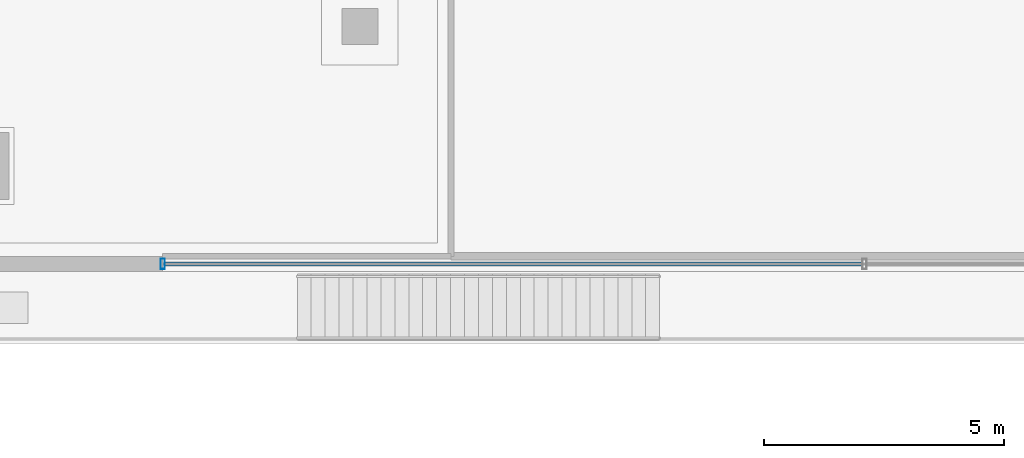
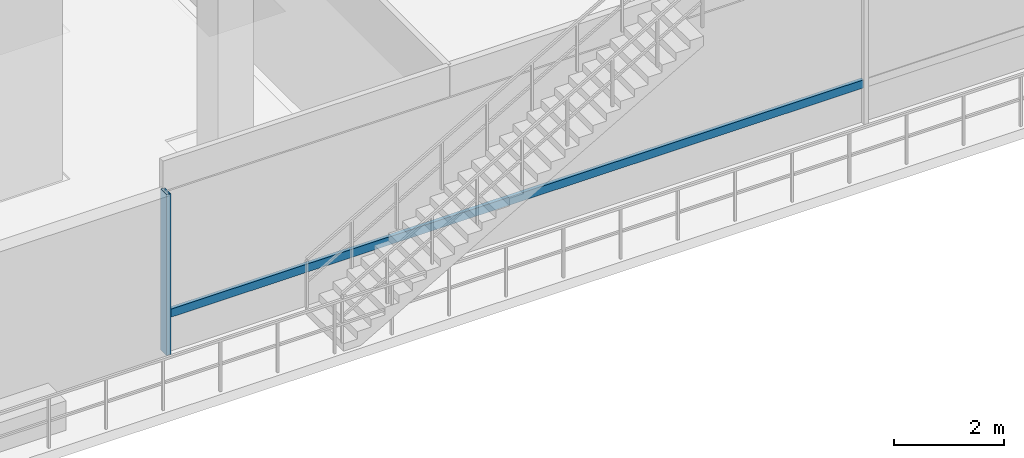
# One storey, part 2 of 25: 2 members, 1 element without a shape of its own.
"""IFC4 building model written with IfcOpenShell, lengths in metres."""

import ifcopenshell
import ifcopenshell.guid

model = None  # the IFC model being written
_history = None  # IfcOwnerHistory: only IFC2X3 demands one
_inside = {}  # id of a spatial element -> (the spatial element, [elements in it])
_under = {}  # id of a project, library or spatial element -> (it, [spatial elements below it])
_declared = {}  # id of a project -> (the project, [libraries it declares])
_typed = {}  # id of a type object -> (the type object, [elements of that type])
_made_of = {}  # id of a material, layer set ... -> (it, [elements and type objects made of it])


def new_model(schema):
    """Start an empty IFC model of exactly this schema.

    Asked for "IFC4X3", IfcOpenShell would pick the latest addendum, in which some entities
    have other attributes; the version numbers below select the first issue.
    IFC2X3 requires an IfcOwnerHistory on every rooted entity: one is made here for all.
    """
    global model, _history
    if schema == "IFC4X3":
        model = ifcopenshell.file(schema_version=(4, 3, 0, 0))
    else:
        model = ifcopenshell.file(schema=schema)
    _inside.clear()
    _under.clear()
    _declared.clear()
    _typed.clear()
    _made_of.clear()
    _history = None
    if model.schema == "IFC2X3":
        org = make("IfcOrganization", Name="unknown")
        user = make(
            "IfcPersonAndOrganization",
            ThePerson=make("IfcPerson", FamilyName="unknown"),
            TheOrganization=org,
        )
        app = make(
            "IfcApplication",
            ApplicationDeveloper=org,
            Version="unknown",
            ApplicationFullName="unknown",
            ApplicationIdentifier="unknown",
        )
        _history = make(
            "IfcOwnerHistory",
            OwningUser=user,
            OwningApplication=app,
            ChangeAction="ADDED",
            CreationDate=0,
        )
    return model


def make(cls, **values):
    """One entity of the class cls with the attributes given. An attribute that is None is left unset."""
    return model.create_entity(
        cls, **{name: value for name, value in values.items() if value is not None}
    )


def rooted(cls, **values):
    """An entity with a GlobalId (a new one), such as an element, a storey or a relation."""
    return make(cls, GlobalId=ifcopenshell.guid.new(), OwnerHistory=_history, **values)


def si_unit(unit_type, name, prefix=None):
    """IfcSIUnit, for example si_unit("LENGTHUNIT", "METRE", prefix="MILLI")."""
    return make("IfcSIUnit", UnitType=unit_type, Prefix=prefix, Name=name)


def assignment(units):
    """IfcUnitAssignment: the units of a project."""
    return None if units is None else make("IfcUnitAssignment", Units=units)


def point(xyz):
    """IfcCartesianPoint."""
    return None if xyz is None else make("IfcCartesianPoint", Coordinates=xyz)


def direction(xyz):
    """IfcDirection."""
    return None if xyz is None else make("IfcDirection", DirectionRatios=xyz)


def frame(location, z_axis=None, x_axis=None):
    """IfcAxis2Placement3D, a coordinate frame: its origin and axes. An axis left out is left unset."""
    return make(
        "IfcAxis2Placement3D",
        Location=point(location),
        Axis=direction(z_axis),
        RefDirection=direction(x_axis),
    )


def frame_2d(location, x_axis=None):
    """IfcAxis2Placement2D, a coordinate frame in the plane: its origin and x axis."""
    return make(
        "IfcAxis2Placement2D", Location=point(location), RefDirection=direction(x_axis)
    )


def origin():
    """The frame at (0, 0, 0) with its axes left unset."""
    return frame((0.0, 0.0, 0.0))


def origin_2d():
    """The frame at (0, 0) in the plane with its x axis left unset."""
    return frame_2d((0.0, 0.0))


def place(relative_to, where):
    """IfcLocalPlacement: puts the frame where relative to a parent placement (None: the world)."""
    return make(
        "IfcLocalPlacement", PlacementRelTo=relative_to, RelativePlacement=where
    )


def context(
    kind, dimensions, precision=None, world=None, true_north=None, identifier=None
):
    """IfcGeometricRepresentationContext, for example the 3D "Model" context."""
    return make(
        "IfcGeometricRepresentationContext",
        ContextIdentifier=identifier,
        ContextType=kind,
        CoordinateSpaceDimension=dimensions,
        Precision=precision,
        WorldCoordinateSystem=world,
        TrueNorth=true_north,
    )


def subcontext(parent, identifier, kind, view, scale=None):
    """IfcGeometricRepresentationSubContext, for example "Body" below "Model"."""
    return make(
        "IfcGeometricRepresentationSubContext",
        ContextIdentifier=identifier,
        ContextType=kind,
        ParentContext=parent,
        TargetScale=scale,
        TargetView=view,
    )


def project(units=None, contexts=None):
    """IfcProject with its units and contexts."""
    return rooted(
        "IfcProject",
        Name="project",
        RepresentationContexts=contexts,
        UnitsInContext=assignment(units),
    )


def spatial(cls, under=None, at=None, **own):
    """A site, building, storey or space (cls), placed at a placement, below another one or the project."""
    s = rooted(cls, ObjectPlacement=at, **own)
    if under is not None:
        _under.setdefault(under.id(), (under, []))[1].append(s)
    return s


def profile(cls, at=None, kind="AREA", **sizes):
    """A parametric profile (cls). Its sizes go by their IFC names, for example OverallWidth=200.0."""
    return make(cls, ProfileType=kind, Position=at, **sizes)


def hollow_rectangle(**sizes):
    """IfcRectangleHollowProfileDef."""
    return profile("IfcRectangleHollowProfileDef", **sizes)


def extrude(swept, where, along, depth):
    """IfcExtrudedAreaSolid: the profile swept, set in the frame where, extruded along a direction by depth."""
    return make(
        "IfcExtrudedAreaSolid",
        SweptArea=swept,
        Position=where,
        ExtrudedDirection=direction(along),
        Depth=depth,
    )


def shape(context_of_items, identifier, shape_type, items):
    """IfcShapeRepresentation: the items that make up one representation, for example the "Body"."""
    return make(
        "IfcShapeRepresentation",
        ContextOfItems=context_of_items,
        RepresentationIdentifier=identifier,
        RepresentationType=shape_type,
        Items=items,
    )


def material(Name=None, Category=None):
    """IfcMaterial."""
    return make("IfcMaterial", Name=Name, Category=Category)


def material_profile(
    of_material, cross_section, Name=None, Category=None, Priority=None
):
    """IfcMaterialProfile: a cross section and its material."""
    return make(
        "IfcMaterialProfile",
        Name=Name,
        Material=of_material,
        Profile=cross_section,
        Priority=Priority,
        Category=Category,
    )


def profile_set(profiles, Name=None, composite=None):
    """IfcMaterialProfileSet."""
    return make(
        "IfcMaterialProfileSet",
        Name=Name,
        MaterialProfiles=profiles,
        CompositeProfile=composite,
    )


def made_of(thing, what):
    """Note that an element or type object is made of a material, layer set ...; save() writes the relation."""
    if what is not None:
        _made_of.setdefault(what.id(), (what, []))[1].append(thing)
    return thing


def type_object(cls, material=None, **own):
    """A type object (cls), such as IfcWallType, which elements share."""
    return made_of(rooted(cls, **own), material)


def element(
    cls,
    number,
    at=None,
    inside=None,
    cuts=None,
    type_object=None,
    material=None,
    context=None,
    identifier="Body",
    shape_type=None,
    held_by="IfcProductDefinitionShape",
    body=None,
    shapes=None,
    **own,
):
    """One element of the class cls, such as IfcWall. Its Tag is "e" and its number.

    at: its placement. inside: the storey or other place that contains it. cuts: it is an
    opening in that element (IfcRelVoidsElement). A single representation is given by context,
    identifier, shape_type and body (its items); several are given by shapes. held_by: the class
    of the entity that holds the representations. save() writes the other relations.
    """
    e = rooted(cls, Tag="e%d" % number, ObjectPlacement=at, **own)
    if body is not None:
        shapes = [shape(context, identifier, shape_type, body)]
    if shapes is not None:
        e.Representation = make(held_by, Representations=shapes)
    if inside is not None:
        _inside.setdefault(inside.id(), (inside, []))[1].append(e)
    if cuts is not None:
        rooted(
            "IfcRelVoidsElement", RelatingBuildingElement=cuts, RelatedOpeningElement=e
        )
    if type_object is not None:
        _typed.setdefault(type_object.id(), (type_object, []))[1].append(e)
    return made_of(e, material)


def aggregate(whole, parts):
    """IfcRelAggregates: a whole, such as a stair, and the parts it consists of."""
    return rooted("IfcRelAggregates", RelatingObject=whole, RelatedObjects=parts)


def save(model, path):
    """Write the relations noted so far, then the file.

    IfcRelAggregates (storeys below a building ...), IfcRelContainedInSpatialStructure (elements
    in a storey), IfcRelDefinesByType, IfcRelAssociatesMaterial and IfcRelDeclares: one each for
    every whole, place, type object, material and project.
    """
    for whole, parts in _under.values():
        aggregate(whole, parts)
    for where, things in _inside.values():
        rooted(
            "IfcRelContainedInSpatialStructure",
            RelatedElements=things,
            RelatingStructure=where,
        )
    for kind, things in _typed.values():
        rooted("IfcRelDefinesByType", RelatedObjects=things, RelatingType=kind)
    for what, things in _made_of.values():
        rooted("IfcRelAssociatesMaterial", RelatedObjects=things, RelatingMaterial=what)
    for by, libraries in _declared.values():
        rooted("IfcRelDeclares", RelatingContext=by, RelatedDefinitions=libraries)
    model.write(path)


model = new_model("IFC4")

# Units and contexts
model_context = context("Model", 3, precision=1e-05, world=origin(), true_north=direction((0.0, 1.0)))
body_context = subcontext(model_context, "Body", "Model", "MODEL_VIEW")
ifc_project = project(units=[si_unit("LENGTHUNIT", "METRE"), si_unit("AREAUNIT", "SQUARE_METRE"), si_unit("VOLUMEUNIT", "CUBIC_METRE"), si_unit("PLANEANGLEUNIT", "RADIAN"), si_unit("MASSUNIT", "GRAM", prefix="KILO")], contexts=[model_context])

# Site, building, storey
site_placement = place(None, origin())
site = spatial("IfcSite", under=ifc_project, at=site_placement, CompositionType="ELEMENT")
building_placement = place(site_placement, origin())
building = spatial("IfcBuilding", under=site, at=building_placement, Name="Thornwick Lancets Civic Towers", CompositionType="ELEMENT")
storey_placement = place(building_placement, frame((0.0, 0.0, 9.60009765625)))
storey = spatial("IfcBuildingStorey", under=building, at=storey_placement, Name="L02", CompositionType="ELEMENT", Elevation=9.60009765625)

# Curtain wall, members
ifc_material_1 = material(Name="Terracotta-trimmed cascading podium ribbon curtain wall", Category="masonry")
curtain_wall_type = type_object("IfcCurtainWallType", Name="CW_SYS_02", PredefinedType="NOTDEFINED", material=ifc_material_1)
curtain_wall_placement = place(storey_placement, origin())
curtain_wall = element("IfcCurtainWall", 1, at=curtain_wall_placement, inside=storey, type_object=curtain_wall_type, Name="L02 Curtain Wall CW-L02-POD-SC", PredefinedType="NOTDEFINED")
ifc_material_2 = material(Name="Thermally broken bronze aluminium S355", Category="steel")
ifc_material_profile_1 = material_profile(ifc_material_2, hollow_rectangle(XDim=0.090087890625, YDim=0.219970703125, WallThickness=0.00634765625, at=origin_2d()), Name="RHS 220x90x6.3")
ifc_profile_set_1 = profile_set([ifc_material_profile_1], Name="Thermally broken bronze aluminium S355")
member_type_1 = type_object("IfcMemberType", Name="CW_MUL_220", PredefinedType="MULLION", material=ifc_profile_set_1)
member_1_placement = place(storey_placement, frame((42.39990234375, 7.659912109375, 0.0), z_axis=(0.0, 0.0, 1.0), x_axis=(1.0, 0.0, 0.0)))
member_1 = element("IfcMember", 2, at=member_1_placement, type_object=member_type_1, Name="CW-L02-POD-SC Mullion 0", PredefinedType="MULLION", context=body_context, shape_type="SweptSolid", body=[
    extrude(hollow_rectangle(XDim=0.090087890625, YDim=0.219970703125, WallThickness=0.00634765625, at=origin_2d()), origin(), (0.0, 0.0, 1.0), 3.559814453125),
])
ifc_material_profile_2 = material_profile(ifc_material_2, hollow_rectangle(XDim=0.074951171875, YDim=0.179931640625, WallThickness=0.006103515625, at=origin_2d()), Name="RHS 180x75x6")
ifc_profile_set_2 = profile_set([ifc_material_profile_2], Name="Thermally broken bronze aluminium S355")
member_type_2 = type_object("IfcMemberType", Name="CW_TRN_180", PredefinedType="USERDEFINED", material=ifc_profile_set_2)
member_2_placement = place(storey_placement, frame((42.419921875, 7.659912109375, 0.849853515625), z_axis=(1.0, 0.0, 0.0), x_axis=(0.0, 1.0, 0.0)))
member_2 = element("IfcMember", 3, at=member_2_placement, type_object=member_type_2, Name="CW-L02-POD-SC Transom 0", ObjectType="TRANSOM", PredefinedType="USERDEFINED", context=body_context, shape_type="SweptSolid", body=[
    extrude(hollow_rectangle(XDim=0.074951171875, YDim=0.179931640625, WallThickness=0.006103515625, at=origin_2d()), origin(), (0.0, 0.0, 1.0), 14.56005859375),
])
aggregate(curtain_wall, [member_1, member_2])

save(model, "model.ifc")
